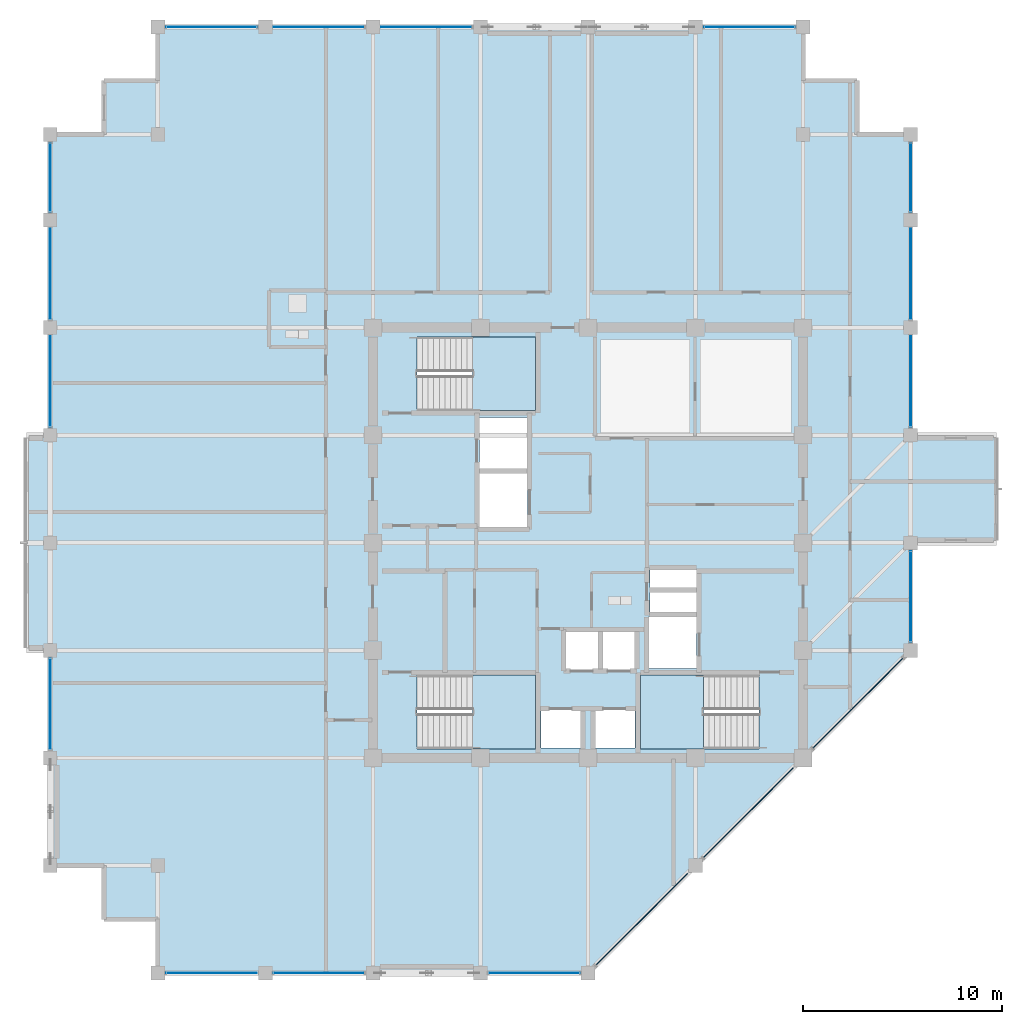
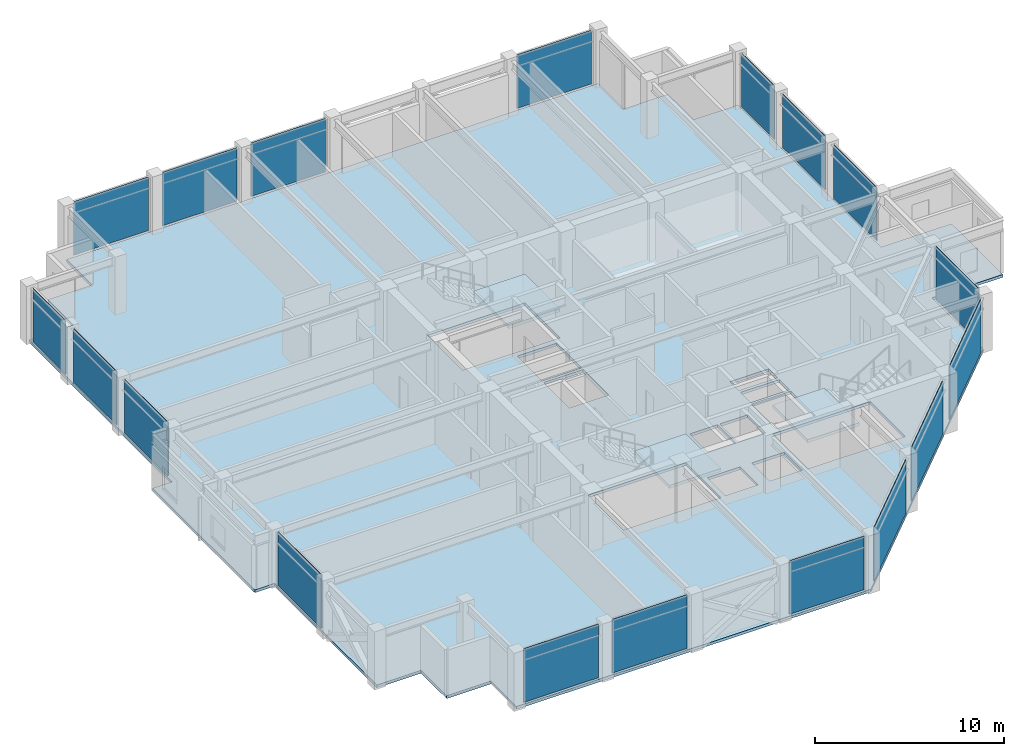
# One storey, part 21 of 30: 18 plates, 4 slabs, 12 elements without a shape of their own.
"""IFC4 building model written with IfcOpenShell, lengths in metres."""

import ifcopenshell
import ifcopenshell.guid

model = None  # the IFC model being written
_history = None  # IfcOwnerHistory: only IFC2X3 demands one
_inside = {}  # id of a spatial element -> (the spatial element, [elements in it])
_under = {}  # id of a project, library or spatial element -> (it, [spatial elements below it])
_declared = {}  # id of a project -> (the project, [libraries it declares])
_typed = {}  # id of a type object -> (the type object, [elements of that type])
_made_of = {}  # id of a material, layer set ... -> (it, [elements and type objects made of it])


def new_model(schema):
    """Start an empty IFC model of exactly this schema.

    Asked for "IFC4X3", IfcOpenShell would pick the latest addendum, in which some entities
    have other attributes; the version numbers below select the first issue.
    IFC2X3 requires an IfcOwnerHistory on every rooted entity: one is made here for all.
    """
    global model, _history
    if schema == "IFC4X3":
        model = ifcopenshell.file(schema_version=(4, 3, 0, 0))
    else:
        model = ifcopenshell.file(schema=schema)
    _inside.clear()
    _under.clear()
    _declared.clear()
    _typed.clear()
    _made_of.clear()
    _history = None
    if model.schema == "IFC2X3":
        org = make("IfcOrganization", Name="unknown")
        user = make(
            "IfcPersonAndOrganization",
            ThePerson=make("IfcPerson", FamilyName="unknown"),
            TheOrganization=org,
        )
        app = make(
            "IfcApplication",
            ApplicationDeveloper=org,
            Version="unknown",
            ApplicationFullName="unknown",
            ApplicationIdentifier="unknown",
        )
        _history = make(
            "IfcOwnerHistory",
            OwningUser=user,
            OwningApplication=app,
            ChangeAction="ADDED",
            CreationDate=0,
        )
    return model


def make(cls, **values):
    """One entity of the class cls with the attributes given. An attribute that is None is left unset."""
    return model.create_entity(
        cls, **{name: value for name, value in values.items() if value is not None}
    )


def rooted(cls, **values):
    """An entity with a GlobalId (a new one), such as an element, a storey or a relation."""
    return make(cls, GlobalId=ifcopenshell.guid.new(), OwnerHistory=_history, **values)


def si_unit(unit_type, name, prefix=None):
    """IfcSIUnit, for example si_unit("LENGTHUNIT", "METRE", prefix="MILLI")."""
    return make("IfcSIUnit", UnitType=unit_type, Prefix=prefix, Name=name)


def assignment(units):
    """IfcUnitAssignment: the units of a project."""
    return None if units is None else make("IfcUnitAssignment", Units=units)


def point(xyz):
    """IfcCartesianPoint."""
    return None if xyz is None else make("IfcCartesianPoint", Coordinates=xyz)


def direction(xyz):
    """IfcDirection."""
    return None if xyz is None else make("IfcDirection", DirectionRatios=xyz)


def frame(location, z_axis=None, x_axis=None):
    """IfcAxis2Placement3D, a coordinate frame: its origin and axes. An axis left out is left unset."""
    return make(
        "IfcAxis2Placement3D",
        Location=point(location),
        Axis=direction(z_axis),
        RefDirection=direction(x_axis),
    )


def frame_2d(location, x_axis=None):
    """IfcAxis2Placement2D, a coordinate frame in the plane: its origin and x axis."""
    return make(
        "IfcAxis2Placement2D", Location=point(location), RefDirection=direction(x_axis)
    )


def origin():
    """The frame at (0, 0, 0) with its axes left unset."""
    return frame((0.0, 0.0, 0.0))


def place(relative_to, where):
    """IfcLocalPlacement: puts the frame where relative to a parent placement (None: the world)."""
    return make(
        "IfcLocalPlacement", PlacementRelTo=relative_to, RelativePlacement=where
    )


def context(
    kind, dimensions, precision=None, world=None, true_north=None, identifier=None
):
    """IfcGeometricRepresentationContext, for example the 3D "Model" context."""
    return make(
        "IfcGeometricRepresentationContext",
        ContextIdentifier=identifier,
        ContextType=kind,
        CoordinateSpaceDimension=dimensions,
        Precision=precision,
        WorldCoordinateSystem=world,
        TrueNorth=true_north,
    )


def subcontext(parent, identifier, kind, view, scale=None):
    """IfcGeometricRepresentationSubContext, for example "Body" below "Model"."""
    return make(
        "IfcGeometricRepresentationSubContext",
        ContextIdentifier=identifier,
        ContextType=kind,
        ParentContext=parent,
        TargetScale=scale,
        TargetView=view,
    )


def project(units=None, contexts=None):
    """IfcProject with its units and contexts."""
    return rooted(
        "IfcProject",
        Name="project",
        RepresentationContexts=contexts,
        UnitsInContext=assignment(units),
    )


def spatial(cls, under=None, at=None, **own):
    """A site, building, storey or space (cls), placed at a placement, below another one or the project."""
    s = rooted(cls, ObjectPlacement=at, **own)
    if under is not None:
        _under.setdefault(under.id(), (under, []))[1].append(s)
    return s


def polyline(points):
    """IfcPolyline through the points."""
    return make("IfcPolyline", Points=[point(p) for p in points])


def profile(cls, at=None, kind="AREA", **sizes):
    """A parametric profile (cls). Its sizes go by their IFC names, for example OverallWidth=200.0."""
    return make(cls, ProfileType=kind, Position=at, **sizes)


def rectangle(**sizes):
    """IfcRectangleProfileDef."""
    return profile("IfcRectangleProfileDef", **sizes)


def outline(outer, holes=None, kind="AREA"):
    """IfcArbitraryClosedProfileDef: a profile drawn as a closed curve; with holes, ...WithVoids."""
    if holes is None:
        return make("IfcArbitraryClosedProfileDef", ProfileType=kind, OuterCurve=outer)
    return make(
        "IfcArbitraryProfileDefWithVoids",
        ProfileType=kind,
        OuterCurve=outer,
        InnerCurves=holes,
    )


def extrude(swept, where, along, depth):
    """IfcExtrudedAreaSolid: the profile swept, set in the frame where, extruded along a direction by depth."""
    return make(
        "IfcExtrudedAreaSolid",
        SweptArea=swept,
        Position=where,
        ExtrudedDirection=direction(along),
        Depth=depth,
    )


def shape(context_of_items, identifier, shape_type, items):
    """IfcShapeRepresentation: the items that make up one representation, for example the "Body"."""
    return make(
        "IfcShapeRepresentation",
        ContextOfItems=context_of_items,
        RepresentationIdentifier=identifier,
        RepresentationType=shape_type,
        Items=items,
    )


def material(Name=None, Category=None):
    """IfcMaterial."""
    return make("IfcMaterial", Name=Name, Category=Category)


def layer(
    of_material, thickness, ventilated=None, Name=None, Category=None, Priority=None
):
    """IfcMaterialLayer: one layer of a wall or slab, of a material (None: an air gap)."""
    return make(
        "IfcMaterialLayer",
        Material=of_material,
        LayerThickness=thickness,
        IsVentilated=ventilated,
        Name=Name,
        Category=Category,
        Priority=Priority,
    )


def layer_set(layers, Name=None):
    """IfcMaterialLayerSet."""
    return make("IfcMaterialLayerSet", MaterialLayers=layers, LayerSetName=Name)


def made_of(thing, what):
    """Note that an element or type object is made of a material, layer set ...; save() writes the relation."""
    if what is not None:
        _made_of.setdefault(what.id(), (what, []))[1].append(thing)
    return thing


def type_object(cls, material=None, **own):
    """A type object (cls), such as IfcWallType, which elements share."""
    return made_of(rooted(cls, **own), material)


def element(
    cls,
    number,
    at=None,
    inside=None,
    cuts=None,
    type_object=None,
    material=None,
    context=None,
    identifier="Body",
    shape_type=None,
    held_by="IfcProductDefinitionShape",
    body=None,
    shapes=None,
    **own,
):
    """One element of the class cls, such as IfcWall. Its Tag is "e" and its number.

    at: its placement. inside: the storey or other place that contains it. cuts: it is an
    opening in that element (IfcRelVoidsElement). A single representation is given by context,
    identifier, shape_type and body (its items); several are given by shapes. held_by: the class
    of the entity that holds the representations. save() writes the other relations.
    """
    e = rooted(cls, Tag="e%d" % number, ObjectPlacement=at, **own)
    if body is not None:
        shapes = [shape(context, identifier, shape_type, body)]
    if shapes is not None:
        e.Representation = make(held_by, Representations=shapes)
    if inside is not None:
        _inside.setdefault(inside.id(), (inside, []))[1].append(e)
    if cuts is not None:
        rooted(
            "IfcRelVoidsElement", RelatingBuildingElement=cuts, RelatedOpeningElement=e
        )
    if type_object is not None:
        _typed.setdefault(type_object.id(), (type_object, []))[1].append(e)
    return made_of(e, material)


def aggregate(whole, parts):
    """IfcRelAggregates: a whole, such as a stair, and the parts it consists of."""
    return rooted("IfcRelAggregates", RelatingObject=whole, RelatedObjects=parts)


def save(model, path):
    """Write the relations noted so far, then the file.

    IfcRelAggregates (storeys below a building ...), IfcRelContainedInSpatialStructure (elements
    in a storey), IfcRelDefinesByType, IfcRelAssociatesMaterial and IfcRelDeclares: one each for
    every whole, place, type object, material and project.
    """
    for whole, parts in _under.values():
        aggregate(whole, parts)
    for where, things in _inside.values():
        rooted(
            "IfcRelContainedInSpatialStructure",
            RelatedElements=things,
            RelatingStructure=where,
        )
    for kind, things in _typed.values():
        rooted("IfcRelDefinesByType", RelatedObjects=things, RelatingType=kind)
    for what, things in _made_of.values():
        rooted("IfcRelAssociatesMaterial", RelatedObjects=things, RelatingMaterial=what)
    for by, libraries in _declared.values():
        rooted("IfcRelDeclares", RelatingContext=by, RelatedDefinitions=libraries)
    model.write(path)


model = new_model("IFC4")

# Units and contexts
model_context = context("Model", 3, precision=1e-05, world=origin(), true_north=direction((0.0, 1.0)))
body_context = subcontext(model_context, "Body", "Model", "MODEL_VIEW")
ifc_project = project(units=[si_unit("LENGTHUNIT", "METRE"), si_unit("AREAUNIT", "SQUARE_METRE"), si_unit("VOLUMEUNIT", "CUBIC_METRE"), si_unit("PLANEANGLEUNIT", "RADIAN"), si_unit("MASSUNIT", "GRAM", prefix="KILO")], contexts=[model_context])

# Site, building, storey
site_placement = place(None, origin())
site = spatial("IfcSite", under=ifc_project, at=site_placement, CompositionType="ELEMENT")
building_placement = place(site_placement, origin())
building = spatial("IfcBuilding", under=site, at=building_placement, Name="Surkhivell Harbour Commons", CompositionType="ELEMENT")
storey_placement = place(building_placement, frame((0.0, 0.0, 307.5)))
storey = spatial("IfcBuildingStorey", under=building, at=storey_placement, Name="L80", CompositionType="ELEMENT", Elevation=307.5)

# Curtain wall, plates
ifc_material_1 = material(Name="Anodised pale-metal aluminium and insulated glazing", Category="aluminium")
ifc_layer_1 = layer(ifc_material_1, 0.175048828125)
ifc_layer_set_1 = layer_set([ifc_layer_1], Name="Anodised pale-metal aluminium and insulated glazing")
curtain_wall_type = type_object("IfcCurtainWallType", Name="CW-SYS-Z4", PredefinedType="NOTDEFINED", material=ifc_layer_set_1)
curtain_wall_1_placement = place(storey_placement, origin())
curtain_wall_1 = element("IfcCurtainWall", 1, at=curtain_wall_1_placement, inside=storey, type_object=curtain_wall_type, Name="L80 Curtain Wall CW-L80-E00S1", PredefinedType="NOTDEFINED")
ifc_material_2 = material(Name="Insulated shadow-box spandrel glazing", Category="glass")
ifc_layer_2 = layer(ifc_material_2, 0.0400390625)
ifc_layer_set_2 = layer_set([ifc_layer_2], Name="Insulated shadow-box spandrel glazing")
plate_type = type_object("IfcPlateType", Name="CWP-SPN-40", PredefinedType="CURTAIN_PANEL", material=ifc_layer_set_2)
plate_1_placement = place(storey_placement, frame((-21.173095703125, -21.60009765625, 0.1298828125), z_axis=(0.0, 0.0, 1.0), x_axis=(1.0, 0.0, 0.0)))
plate_1 = element("IfcPlate", 2, at=plate_1_placement, type_object=plate_type, Name="CW-Z4 panel 1.1", PredefinedType="CURTAIN_PANEL", context=body_context, shape_type="SweptSolid", body=[
    extrude(rectangle(XDim=4.546142578125, YDim=0.0400390625, at=frame_2d((2.27294921875, 0.0))), origin(), (0.0, 0.0, 1.0), 3.440185546875),
])
plate_2_placement = place(storey_placement, frame((-15.77294921875, -21.60009765625, 0.1298828125), z_axis=(0.0, 0.0, 1.0), x_axis=(1.0, 0.0, 0.0)))
plate_2 = element("IfcPlate", 3, at=plate_2_placement, type_object=plate_type, Name="CW-Z4 panel 2.1", PredefinedType="CURTAIN_PANEL", context=body_context, shape_type="SweptSolid", body=[
    extrude(rectangle(XDim=4.5458984375, YDim=0.0400390625, at=frame_2d((2.27294921875, 0.0))), origin(), (0.0, 0.0, 1.0), 3.440185546875),
])
aggregate(curtain_wall_1, [plate_1, plate_2])

# Curtain wall, plate
curtain_wall_2_placement = place(storey_placement, origin())
curtain_wall_2 = element("IfcCurtainWall", 4, at=curtain_wall_2_placement, inside=storey, type_object=curtain_wall_type, Name="L80 Curtain Wall CW-L80-E00S2", PredefinedType="NOTDEFINED")
plate_3_placement = place(storey_placement, frame((-4.972900390625, -21.60009765625, 0.1298828125), z_axis=(0.0, 0.0, 1.0), x_axis=(1.0, 0.0, 0.0)))
plate_3 = element("IfcPlate", 5, at=plate_3_placement, type_object=plate_type, Name="CW-Z4 panel 1.1", PredefinedType="CURTAIN_PANEL", context=body_context, shape_type="SweptSolid", body=[
    extrude(rectangle(XDim=4.5458984375, YDim=0.0400390625, at=frame_2d((2.27294921875, 0.0))), origin(), (0.0, 0.0, 1.0), 3.440185546875),
])
aggregate(curtain_wall_2, [plate_3])

# Curtain wall, plates
curtain_wall_3_placement = place(storey_placement, origin())
curtain_wall_3 = element("IfcCurtainWall", 6, at=curtain_wall_3_placement, inside=storey, type_object=curtain_wall_type, Name="L80 Curtain Wall CW-L80-E01", PredefinedType="NOTDEFINED")
plate_4_placement = place(storey_placement, frame((0.404541015625, -21.1953125, 0.1298828125), z_axis=(0.0, 0.0, 1.0), x_axis=(0.707125583467, 0.707087978406, 0.0)))
plate_4 = element("IfcPlate", 7, at=plate_4_placement, type_object=plate_type, Name="CW-Z4 panel 1.1", PredefinedType="CURTAIN_PANEL", context=body_context, shape_type="SweptSolid", body=[
    extrude(rectangle(XDim=6.4921875, YDim=0.0400390625, at=frame_2d((3.24609375, 0.0))), origin(), (0.0, 0.0, 1.0), 3.440185546875),
])
plate_5_placement = place(storey_placement, frame((5.8046875, -15.79541015625, 0.1298828125), z_axis=(0.0, 0.0, 1.0), x_axis=(0.707106781187, 0.707106781187, 0.0)))
plate_5 = element("IfcPlate", 8, at=plate_5_placement, type_object=plate_type, Name="CW-Z4 panel 2.1", PredefinedType="CURTAIN_PANEL", context=body_context, shape_type="SweptSolid", body=[
    extrude(rectangle(XDim=6.350830078125, YDim=0.0400390625, at=frame_2d((3.17529296875, 0.0))), origin(), (0.0, 0.0, 1.0), 3.440185546875),
])
plate_6_placement = place(storey_placement, frame((11.3046875, -10.29541015625, 0.1298828125), z_axis=(0.0, 0.0, 1.0), x_axis=(0.707106781187, 0.707106781187, 0.0)))
plate_6 = element("IfcPlate", 9, at=plate_6_placement, type_object=plate_type, Name="CW-Z4 panel 3.1", PredefinedType="CURTAIN_PANEL", context=body_context, shape_type="SweptSolid", body=[
    extrude(rectangle(XDim=6.350830078125, YDim=0.0400390625, at=frame_2d((3.17529296875, 0.0))), origin(), (0.0, 0.0, 1.0), 3.440185546875),
])
aggregate(curtain_wall_3, [plate_4, plate_5, plate_6])

# Curtain wall, plate
curtain_wall_4_placement = place(storey_placement, origin())
curtain_wall_4 = element("IfcCurtainWall", 10, at=curtain_wall_4_placement, inside=storey, type_object=curtain_wall_type, Name="L80 Curtain Wall CW-L80-E02R1", PredefinedType="NOTDEFINED")
plate_7_placement = place(storey_placement, frame((16.199951171875, -4.972900390625, 0.1298828125), z_axis=(0.0, 0.0, 1.0), x_axis=(0.0, 1.0, 0.0)))
plate_7 = element("IfcPlate", 11, at=plate_7_placement, type_object=plate_type, Name="CW-Z4 panel 1.1", PredefinedType="CURTAIN_PANEL", context=body_context, shape_type="SweptSolid", body=[
    extrude(rectangle(XDim=4.5458984375, YDim=0.0400390625, at=frame_2d((2.27294921875, 0.0))), origin(), (0.0, 0.0, 1.0), 3.440185546875),
])
aggregate(curtain_wall_4, [plate_7])

# Curtain wall, plates
curtain_wall_5_placement = place(storey_placement, origin())
curtain_wall_5 = element("IfcCurtainWall", 12, at=curtain_wall_5_placement, inside=storey, type_object=curtain_wall_type, Name="L80 Curtain Wall CW-L80-E02R2", PredefinedType="NOTDEFINED")
plate_8_placement = place(storey_placement, frame((16.199951171875, 5.826904296875, 0.1298828125), z_axis=(0.0, 0.0, 1.0), x_axis=(0.0, 1.0, 0.0)))
plate_8 = element("IfcPlate", 13, at=plate_8_placement, type_object=plate_type, Name="CW-Z4 panel 1.1", PredefinedType="CURTAIN_PANEL", context=body_context, shape_type="SweptSolid", body=[
    extrude(rectangle(XDim=4.546142578125, YDim=0.0400390625, at=frame_2d((2.27294921875, 0.0))), origin(), (0.0, 0.0, 1.0), 3.440185546875),
])
plate_9_placement = place(storey_placement, frame((16.199951171875, 11.22705078125, 0.1298828125), z_axis=(0.0, 0.0, 1.0), x_axis=(0.0, 1.0, 0.0)))
plate_9 = element("IfcPlate", 14, at=plate_9_placement, type_object=plate_type, Name="CW-Z4 panel 2.1", PredefinedType="CURTAIN_PANEL", context=body_context, shape_type="SweptSolid", body=[
    extrude(rectangle(XDim=4.5458984375, YDim=0.0400390625, at=frame_2d((2.27294921875, 0.0))), origin(), (0.0, 0.0, 1.0), 3.440185546875),
])
plate_10_placement = place(storey_placement, frame((16.199951171875, 16.626953125, 0.1298828125), z_axis=(0.0, 0.0, 1.0), x_axis=(0.0, 1.0, 0.0)))
plate_10 = element("IfcPlate", 15, at=plate_10_placement, type_object=plate_type, Name="CW-Z4 panel 3.1", PredefinedType="CURTAIN_PANEL", context=body_context, shape_type="SweptSolid", body=[
    extrude(rectangle(XDim=3.446044921875, YDim=0.0400390625, at=frame_2d((1.72314453125, 0.0))), origin(), (0.0, 0.0, 1.0), 3.440185546875),
])
aggregate(curtain_wall_5, [plate_8, plate_9, plate_10])

# Curtain wall, plate
curtain_wall_6_placement = place(storey_placement, origin())
curtain_wall_6 = element("IfcCurtainWall", 16, at=curtain_wall_6_placement, inside=storey, type_object=curtain_wall_type, Name="L80 Curtain Wall CW-L80-E07S1", PredefinedType="NOTDEFINED")
plate_11_placement = place(storey_placement, frame((10.373046875, 25.89990234375, 0.1298828125), z_axis=(0.0, 0.0, 1.0), x_axis=(-1.0, 0.0, 0.0)))
plate_11 = element("IfcPlate", 17, at=plate_11_placement, type_object=plate_type, Name="CW-Z4 panel 1.1", PredefinedType="CURTAIN_PANEL", context=body_context, shape_type="SweptSolid", body=[
    extrude(rectangle(XDim=4.546142578125, YDim=0.0400390625, at=frame_2d((2.27294921875, 0.0))), origin(), (0.0, 0.0, 1.0), 3.440185546875),
])
aggregate(curtain_wall_6, [plate_11])

# Curtain wall, plates
curtain_wall_7_placement = place(storey_placement, origin())
curtain_wall_7 = element("IfcCurtainWall", 18, at=curtain_wall_7_placement, inside=storey, type_object=curtain_wall_type, Name="L80 Curtain Wall CW-L80-E07S2", PredefinedType="NOTDEFINED")
plate_12_placement = place(storey_placement, frame((-5.826904296875, 25.89990234375, 0.1298828125), z_axis=(0.0, 0.0, 1.0), x_axis=(-1.0, 0.0, 0.0)))
plate_12 = element("IfcPlate", 19, at=plate_12_placement, type_object=plate_type, Name="CW-Z4 panel 1.1", PredefinedType="CURTAIN_PANEL", context=body_context, shape_type="SweptSolid", body=[
    extrude(rectangle(XDim=4.546142578125, YDim=0.0400390625, at=frame_2d((2.27294921875, 0.0))), origin(), (0.0, 0.0, 1.0), 3.440185546875),
])
plate_13_placement = place(storey_placement, frame((-11.22705078125, 25.89990234375, 0.1298828125), z_axis=(0.0, 0.0, 1.0), x_axis=(-1.0, 0.0, 0.0)))
plate_13 = element("IfcPlate", 20, at=plate_13_placement, type_object=plate_type, Name="CW-Z4 panel 2.1", PredefinedType="CURTAIN_PANEL", context=body_context, shape_type="SweptSolid", body=[
    extrude(rectangle(XDim=4.5458984375, YDim=0.0400390625, at=frame_2d((2.27294921875, 0.0))), origin(), (0.0, 0.0, 1.0), 3.440185546875),
])
plate_14_placement = place(storey_placement, frame((-16.626953125, 25.89990234375, 0.1298828125), z_axis=(0.0, 0.0, 1.0), x_axis=(-1.0, 0.0, 0.0)))
plate_14 = element("IfcPlate", 21, at=plate_14_placement, type_object=plate_type, Name="CW-Z4 panel 3.1", PredefinedType="CURTAIN_PANEL", context=body_context, shape_type="SweptSolid", body=[
    extrude(rectangle(XDim=4.546142578125, YDim=0.0400390625, at=frame_2d((2.27294921875, 0.0))), origin(), (0.0, 0.0, 1.0), 3.440185546875),
])
aggregate(curtain_wall_7, [plate_12, plate_13, plate_14])

# Curtain wall, plate
curtain_wall_8_placement = place(storey_placement, origin())
curtain_wall_8 = element("IfcCurtainWall", 22, at=curtain_wall_8_placement, inside=storey, type_object=curtain_wall_type, Name="L80 Curtain Wall CW-L80-E12R1S1", PredefinedType="NOTDEFINED")
plate_15_placement = place(storey_placement, frame((-27.0, -10.373046875, 0.1298828125), z_axis=(0.0, 0.0, 1.0), x_axis=(0.0, 1.0, 0.0)))
plate_15 = element("IfcPlate", 23, at=plate_15_placement, type_object=plate_type, Name="CW-Z4 panel 1.1", PredefinedType="CURTAIN_PANEL", context=body_context, shape_type="SweptSolid", body=[
    extrude(rectangle(XDim=4.546142578125, YDim=0.0400390625, at=frame_2d((2.27294921875, 0.0))), origin(), (0.0, 0.0, 1.0), 3.440185546875),
])
aggregate(curtain_wall_8, [plate_15])

# Curtain wall, plates
curtain_wall_9_placement = place(storey_placement, origin())
curtain_wall_9 = element("IfcCurtainWall", 24, at=curtain_wall_9_placement, inside=storey, type_object=curtain_wall_type, Name="L80 Curtain Wall CW-L80-E12R2", PredefinedType="NOTDEFINED")
plate_16_placement = place(storey_placement, frame((-27.0, 5.826904296875, 0.1298828125), z_axis=(0.0, 0.0, 1.0), x_axis=(0.0, 1.0, 0.0)))
plate_16 = element("IfcPlate", 25, at=plate_16_placement, type_object=plate_type, Name="CW-Z4 panel 1.1", PredefinedType="CURTAIN_PANEL", context=body_context, shape_type="SweptSolid", body=[
    extrude(rectangle(XDim=4.546142578125, YDim=0.0400390625, at=frame_2d((2.27294921875, 0.0))), origin(), (0.0, 0.0, 1.0), 3.440185546875),
])
plate_17_placement = place(storey_placement, frame((-27.0, 11.22705078125, 0.1298828125), z_axis=(0.0, 0.0, 1.0), x_axis=(0.0, 1.0, 0.0)))
plate_17 = element("IfcPlate", 26, at=plate_17_placement, type_object=plate_type, Name="CW-Z4 panel 2.1", PredefinedType="CURTAIN_PANEL", context=body_context, shape_type="SweptSolid", body=[
    extrude(rectangle(XDim=4.5458984375, YDim=0.0400390625, at=frame_2d((2.27294921875, 0.0))), origin(), (0.0, 0.0, 1.0), 3.440185546875),
])
plate_18_placement = place(storey_placement, frame((-27.0, 16.626953125, 0.1298828125), z_axis=(0.0, 0.0, 1.0), x_axis=(0.0, 1.0, 0.0)))
plate_18 = element("IfcPlate", 27, at=plate_18_placement, type_object=plate_type, Name="CW-Z4 panel 3.1", PredefinedType="CURTAIN_PANEL", context=body_context, shape_type="SweptSolid", body=[
    extrude(rectangle(XDim=3.446044921875, YDim=0.0400390625, at=frame_2d((1.72314453125, 0.0))), origin(), (0.0, 0.0, 1.0), 3.440185546875),
])
aggregate(curtain_wall_9, [plate_16, plate_17, plate_18])

# Stair, slab
ifc_material_3 = material(Name="Precast concrete C45/55", Category="concrete")
stair_type = type_object("IfcStairType", Name="STR-DL-375", PredefinedType="HALF_TURN_STAIR", material=ifc_material_3)
stair_1_placement = place(storey_placement, origin())
stair_1 = element("IfcStair", 28, at=stair_1_placement, inside=storey, type_object=stair_type, Name="L80 Core Exit Stair ST1", PredefinedType="HALF_TURN_STAIR")
ifc_material_4 = material(Name="Reinforced concrete C45/55", Category="concrete")
ifc_layer_3 = layer(ifc_material_4, 0.199951171875)
ifc_layer_set_3 = layer_set([ifc_layer_3], Name="Reinforced concrete C45/55")
slab_type_1 = type_object("IfcSlabType", Name="SLB-ST-LND200", PredefinedType="LANDING", material=ifc_layer_set_3)
slab_1_placement = place(storey_placement, frame((0.0, 0.0, 1.675048828125)))
slab_1 = element("IfcSlab", 29, at=slab_1_placement, type_object=slab_type_1, Name="ST1 landing 1", PredefinedType="LANDING", context=body_context, shape_type="SweptSolid", body=[
    extrude(outline(polyline([(-5.7900390625, 6.639892578125), (-2.639892578125, 6.639892578125), (-2.639892578125, 10.340087890625), (-5.7900390625, 10.340087890625), (-5.7900390625, 6.639892578125)])), origin(), (0.0, 0.0, 1.0), 0.199951171875),
])
aggregate(stair_1, [slab_1])

stair_2_placement = place(storey_placement, origin())
stair_2 = element("IfcStair", 30, at=stair_2_placement, inside=storey, type_object=stair_type, Name="L80 Core Exit Stair ST2", PredefinedType="HALF_TURN_STAIR")
slab_2_placement = place(storey_placement, frame((0.0, 0.0, 1.675048828125)))
slab_2 = element("IfcSlab", 31, at=slab_2_placement, type_object=slab_type_1, Name="ST2 landing 1", PredefinedType="LANDING", context=body_context, shape_type="SweptSolid", body=[
    extrude(outline(polyline([(5.7900390625, -6.639892578125), (2.639892578125, -6.639892578125), (2.639892578125, -10.340087890625), (5.7900390625, -10.340087890625), (5.7900390625, -6.639892578125)])), origin(), (0.0, 0.0, 1.0), 0.199951171875),
])
aggregate(stair_2, [slab_2])

stair_3_placement = place(storey_placement, origin())
stair_3 = element("IfcStair", 32, at=stair_3_placement, inside=storey, type_object=stair_type, Name="L80 Core Exit Stair ST3", PredefinedType="HALF_TURN_STAIR")
slab_3_placement = place(storey_placement, frame((0.0, 0.0, 1.675048828125)))
slab_3 = element("IfcSlab", 33, at=slab_3_placement, type_object=slab_type_1, Name="ST3 landing 1", PredefinedType="LANDING", context=body_context, shape_type="SweptSolid", body=[
    extrude(outline(polyline([(-5.7900390625, -10.340087890625), (-2.639892578125, -10.340087890625), (-2.639892578125, -6.639892578125), (-5.7900390625, -6.639892578125), (-5.7900390625, -10.340087890625)])), origin(), (0.0, 0.0, 1.0), 0.199951171875),
])
aggregate(stair_3, [slab_3])

# Slab
ifc_material_5 = material(Name="Concrete C45/55", Category="concrete")
ifc_layer_4 = layer(ifc_material_5, 0.179931640625)
ifc_layer_set_4 = layer_set([ifc_layer_4], Name="Concrete C45/55")
slab_type_2 = type_object("IfcSlabType", Name="SLB-TYP-180", PredefinedType="FLOOR", material=ifc_layer_set_4)
slab_4_placement = place(storey_placement, frame((0.0, 0.0, -0.179931640625)))
element("IfcSlab", 34, at=slab_4_placement, inside=storey, type_object=slab_type_2, Name="L80 Structural Floor Slab", PredefinedType="FLOOR", context=body_context, shape_type="SweptSolid", body=[
    extrude(outline(polyline([(-27.0, 20.5), (-27.0, 5.39990234375), (-28.199951171875, 5.39990234375), (-28.199951171875, -5.39990234375), (-27.0, -5.39990234375), (-27.0, -16.199951171875), (-24.300048828125, -16.199951171875), (-24.300048828125, -18.89990234375), (-21.60009765625, -18.89990234375), (-21.60009765625, -21.60009765625), (0.0, -21.60009765625), (16.199951171875, -5.39990234375), (16.199951171875, 0.0), (20.5, 0.0), (20.5, 5.39990234375), (16.199951171875, 5.39990234375), (16.199951171875, 20.5), (13.5, 20.5), (13.5, 23.199951171875), (10.800048828125, 23.199951171875), (10.800048828125, 25.89990234375), (-21.60009765625, 25.89990234375), (-21.60009765625, 23.199951171875), (-24.300048828125, 23.199951171875), (-24.300048828125, 20.5), (-27.0, 20.5)]), holes=[polyline([(-8.590087890625, 6.639892578125), (-2.639892578125, 6.639892578125), (-2.639892578125, 10.340087890625), (-8.590087890625, 10.340087890625), (-8.590087890625, 6.639892578125)]), polyline([(8.590087890625, -6.639892578125), (2.639892578125, -6.639892578125), (2.639892578125, -10.340087890625), (8.590087890625, -10.340087890625), (8.590087890625, -6.639892578125)]), polyline([(-8.590087890625, -10.340087890625), (-2.639892578125, -10.340087890625), (-2.639892578125, -6.639892578125), (-8.590087890625, -6.639892578125), (-8.590087890625, -10.340087890625)]), polyline([(-1.14990234375, -6.35009765625), (0.550048828125, -6.35009765625), (0.550048828125, -4.449951171875), (-1.14990234375, -4.449951171875), (-1.14990234375, -6.35009765625)]), polyline([(0.679931640625, -6.35009765625), (2.3798828125, -6.35009765625), (2.3798828125, -4.449951171875), (0.679931640625, -4.449951171875), (0.679931640625, -6.35009765625)]), polyline([(-2.35009765625, -10.300048828125), (-0.35009765625, -10.300048828125), (-0.35009765625, -8.39990234375), (-2.35009765625, -8.39990234375), (-2.35009765625, -10.300048828125)]), polyline([(0.35009765625, -10.300048828125), (2.35009765625, -10.300048828125), (2.35009765625, -8.39990234375), (0.35009765625, -8.39990234375), (0.35009765625, -10.300048828125)]), polyline([(-5.449951171875, 3.699951171875), (-3.050048828125, 3.699951171875), (-3.050048828125, 6.300048828125), (-5.449951171875, 6.300048828125), (-5.449951171875, 3.699951171875)]), polyline([(3.050048828125, -6.300048828125), (5.449951171875, -6.300048828125), (5.449951171875, -3.699951171875), (3.050048828125, -3.699951171875), (3.050048828125, -6.300048828125)]), polyline([(-5.449951171875, 0.800048828125), (-3.050048828125, 0.800048828125), (-3.050048828125, 3.5), (-5.449951171875, 3.5), (-5.449951171875, 0.800048828125)]), polyline([(3.10009765625, -3.550048828125), (5.449951171875, -3.550048828125), (5.449951171875, -2.47998046875), (3.10009765625, -2.47998046875), (3.10009765625, -3.550048828125)]), polyline([(3.10009765625, -2.280029296875), (5.449951171875, -2.280029296875), (5.449951171875, -1.35009765625), (3.10009765625, -1.35009765625), (3.10009765625, -2.280029296875)])]), origin(), (0.0, 0.0, 1.0), 0.179931640625),
])

save(model, "model.ifc")
